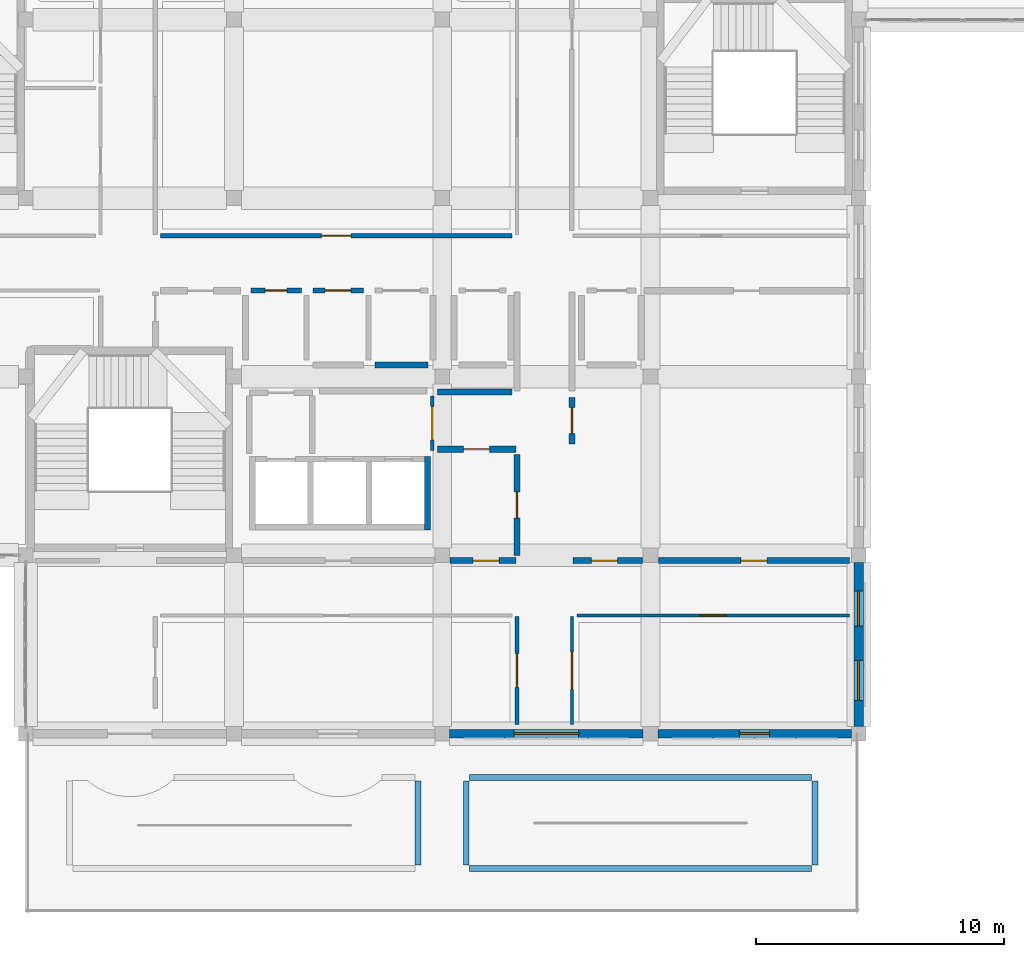
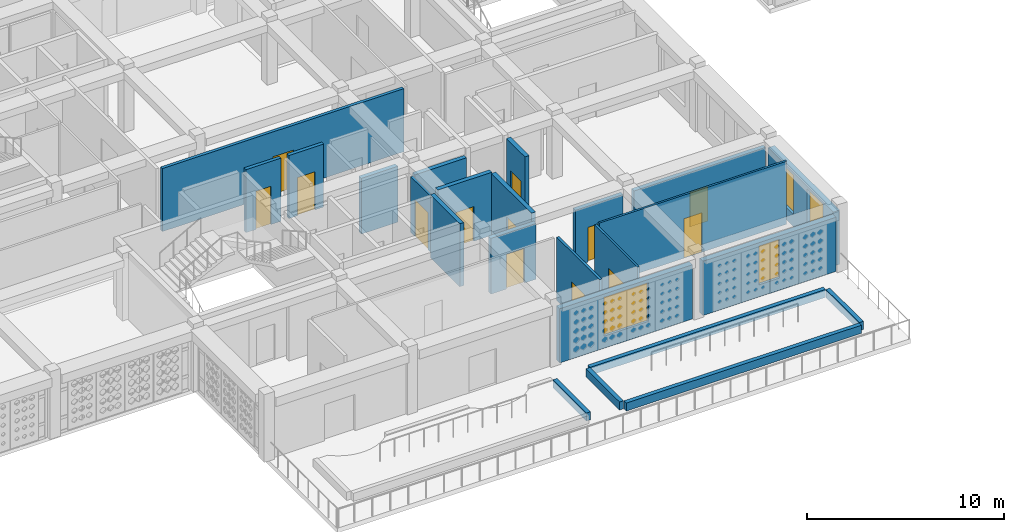
# One storey, part 29 of 48: 24 walls, 13 doors, 4 windows, 17 openings.
"""IFC4 building model written with IfcOpenShell, lengths in metres."""

from ifc_helpers import new_model, si_unit, derived_unit, direction, frame, frame_2d, origin, place, context, subcontext, project, spatial, rectangle, extrude, material, layer, layer_set, type_object, element, fill, save


model = new_model("IFC4")

# Units and contexts
model_context = context("Model", 3, precision=1e-05, world=origin(), true_north=direction((0.0, 1.0)))
body_context = subcontext(model_context, "Body", "Model", "MODEL_VIEW")
ifc_project = project(units=[si_unit("LENGTHUNIT", "METRE"), si_unit("AREAUNIT", "SQUARE_METRE"), si_unit("VOLUMEUNIT", "CUBIC_METRE"), si_unit("PLANEANGLEUNIT", "RADIAN"), si_unit("MASSUNIT", "GRAM", prefix="KILO"), derived_unit("THERMALTRANSMITTANCEUNIT", [(si_unit("POWERUNIT", "WATT"), 1), (si_unit("LENGTHUNIT", "METRE"), -2), (si_unit("THERMODYNAMICTEMPERATUREUNIT", "KELVIN"), -1)])], contexts=[model_context])

# Site, building, storey
site_placement = place(None, origin())
site = spatial("IfcSite", under=ifc_project, at=site_placement, CompositionType="ELEMENT")
building_placement = place(site_placement, origin())
building = spatial("IfcBuilding", under=site, at=building_placement, Name="Veybourne Emporium", CompositionType="ELEMENT")
storey_placement = place(building_placement, frame((0.0, 0.0, 27.89990234375)))
storey = spatial("IfcBuildingStorey", under=building, at=storey_placement, Name="L06", CompositionType="ELEMENT", Elevation=27.89990234375)

# Wall, openings, windows
ifc_material_1 = material(Name="Portland Limestone Ashlar", Category="masonry")
ifc_layer_1 = layer(ifc_material_1, 0.3798828125)
ifc_layer_set_1 = layer_set([ifc_layer_1], Name="Portland Limestone Ashlar")
wall_type_1 = type_object("IfcWallType", Name="ExtWall_EW-03", PredefinedType="SOLIDWALL", material=ifc_layer_set_1)
wall_1_placement = place(storey_placement, frame((50.39990234375, 14.10009765625, 0.0), z_axis=(0.0, 0.0, 1.0), x_axis=(0.0, -1.0, 0.0)))
wall_1 = element("IfcWall", 1, at=wall_1_placement, inside=storey, type_object=wall_type_1, Name="L06 Portland stone external wall 018", PredefinedType="SOLIDWALL", context=body_context, shape_type="SweptSolid", body=[
    extrude(rectangle(XDim=6.60009765625, YDim=0.3798828125, at=frame_2d((3.300048828125, 0.0))), origin(), (0.0, 0.0, 1.0), 3.360107421875),
])
opening_1_placement = place(wall_1_placement, frame((1.14794921875, 0.0, 0.75)))
opening_1 = element("IfcOpeningElement", 2, at=opening_1_placement, cuts=wall_1, Name="Opening W-50", PredefinedType="OPENING", context=body_context, shape_type="SweptSolid", body=[
    extrude(rectangle(XDim=1.39990234375, YDim=2.4599609375, at=frame_2d((0.699951171875, 1.22998046875))), frame((0.0, 0.2099609375, 0.0), z_axis=(0.0, -1.0, 0.0), x_axis=(1.0, 0.0, 0.0)), (0.0, 0.0, 1.0), 0.419921875),
])
opening_2_placement = place(wall_1_placement, frame((3.951904296875, 0.0, 0.75)))
opening_2 = element("IfcOpeningElement", 3, at=opening_2_placement, cuts=wall_1, Name="Opening W-51", PredefinedType="OPENING", context=body_context, shape_type="SweptSolid", body=[
    extrude(rectangle(XDim=1.60009765625, YDim=2.4599609375, at=frame_2d((0.800048828125, 1.22998046875))), frame((0.0, 0.2099609375, 0.0), z_axis=(0.0, -1.0, 0.0), x_axis=(1.0, 0.0, 0.0)), (0.0, 0.0, 1.0), 0.419921875),
])
ifc_material_2 = material(Name="Low-E Triple Glazing", Category="glass")
window_type_1 = type_object("IfcWindowType", Name="Win_W-50", PartitioningType="DOUBLE_PANEL_VERTICAL", PredefinedType="WINDOW", material=ifc_material_2)
window_1_placement = place(opening_1_placement, origin())
window_1 = element("IfcWindow", 4, at=window_1_placement, inside=storey, type_object=window_type_1, Name="L06 tripartite bronze casement window W-50 (18.1)", OverallHeight=2.4599609375, OverallWidth=1.39990234375, PartitioningType="DOUBLE_PANEL_VERTICAL", PredefinedType="WINDOW", context=body_context, shape_type="SweptSolid", body=[
    extrude(rectangle(XDim=1.39990234375, YDim=2.4599609375, at=frame_2d((0.699951171875, 1.22998046875))), frame((0.0, 0.030029296875, 0.0), z_axis=(0.0, -1.0, 0.0), x_axis=(1.0, 0.0, 0.0)), (0.0, 0.0, 1.0), 0.06005859375),
])
fill(opening_1, window_1)
window_type_2 = type_object("IfcWindowType", Name="Win_W-51", PartitioningType="DOUBLE_PANEL_VERTICAL", PredefinedType="WINDOW", material=ifc_material_2)
window_2_placement = place(opening_2_placement, origin())
window_2 = element("IfcWindow", 5, at=window_2_placement, inside=storey, type_object=window_type_2, Name="L06 tripartite bronze casement window W-51 (18.2)", OverallHeight=2.4599609375, OverallWidth=1.60009765625, PartitioningType="DOUBLE_PANEL_VERTICAL", PredefinedType="WINDOW", context=body_context, shape_type="SweptSolid", body=[
    extrude(rectangle(XDim=1.60009765625, YDim=2.4599609375, at=frame_2d((0.800048828125, 1.22998046875))), frame((0.0, 0.030029296875, 0.0), z_axis=(0.0, -1.0, 0.0), x_axis=(1.0, 0.0, 0.0)), (0.0, 0.0, 1.0), 0.06005859375),
])
fill(opening_2, window_2)

# Wall, opening, window
ifc_layer_2 = layer(ifc_material_1, 0.330078125)
ifc_layer_set_2 = layer_set([ifc_layer_2], Name="Portland Limestone Ashlar")
wall_type_2 = type_object("IfcWallType", Name="ExtWall_EW-04", PredefinedType="SOLIDWALL", material=ifc_layer_set_2)
wall_2_placement = place(storey_placement, frame((41.699951171875, 7.199951171875, 0.0), z_axis=(0.0, 0.0, 1.0), x_axis=(-1.0, 0.0, 0.0)))
wall_2 = element("IfcWall", 6, at=wall_2_placement, inside=storey, type_object=wall_type_2, Name="L06 terrace facade wall 015", PredefinedType="SOLIDWALL", context=body_context, shape_type="SweptSolid", body=[
    extrude(rectangle(XDim=7.800048828125, YDim=0.330078125, at=frame_2d((3.89990234375, 0.0))), origin(), (0.0, 0.0, 1.0), 3.360107421875),
])
opening_3_placement = place(wall_2_placement, frame((2.60009765625, 0.0, 0.75)))
opening_3 = element("IfcOpeningElement", 7, at=opening_3_placement, cuts=wall_2, Name="Opening W-48", PredefinedType="OPENING", context=body_context, shape_type="SweptSolid", body=[
    extrude(rectangle(XDim=2.60009765625, YDim=2.409912109375, at=frame_2d((1.300048828125, 1.205078125))), frame((0.0, 0.18505859375, 0.0), z_axis=(0.0, -1.0, 0.0), x_axis=(1.0, 0.0, 0.0)), (0.0, 0.0, 1.0), 0.3701171875),
])
window_type_3 = type_object("IfcWindowType", Name="Win_W-48", PartitioningType="TRIPLE_PANEL_VERTICAL", PredefinedType="WINDOW", material=ifc_material_2)
window_3_placement = place(opening_3_placement, origin())
window_3 = element("IfcWindow", 8, at=window_3_placement, inside=storey, type_object=window_type_3, Name="L06 terrace window 015", OverallHeight=2.409912109375, OverallWidth=2.60009765625, PartitioningType="TRIPLE_PANEL_VERTICAL", PredefinedType="WINDOW", context=body_context, shape_type="SweptSolid", body=[
    extrude(rectangle(XDim=2.60009765625, YDim=2.409912109375, at=frame_2d((1.300048828125, 1.205078125))), frame((0.0, 0.030029296875, 0.0), z_axis=(0.0, -1.0, 0.0), x_axis=(1.0, 0.0, 0.0)), (0.0, 0.0, 1.0), 0.06005859375),
])
fill(opening_3, window_3)

wall_3_placement = place(storey_placement, frame((50.10009765625, 7.199951171875, 0.0), z_axis=(0.0, 0.0, 1.0), x_axis=(-1.0, 0.0, 0.0)))
wall_3 = element("IfcWall", 9, at=wall_3_placement, inside=storey, type_object=wall_type_2, Name="L06 terrace facade wall 017", PredefinedType="SOLIDWALL", context=body_context, shape_type="SweptSolid", body=[
    extrude(rectangle(XDim=7.800048828125, YDim=0.330078125, at=frame_2d((3.89990234375, 0.0))), origin(), (0.0, 0.0, 1.0), 3.360107421875),
])
opening_4_placement = place(wall_3_placement, frame((3.300048828125, 0.0, 0.75)))
opening_4 = element("IfcOpeningElement", 10, at=opening_4_placement, cuts=wall_3, Name="Opening W-49", PredefinedType="OPENING", context=body_context, shape_type="SweptSolid", body=[
    extrude(rectangle(XDim=1.199951171875, YDim=2.409912109375, at=frame_2d((0.60009765625, 1.205078125))), frame((0.0, 0.18505859375, 0.0), z_axis=(0.0, -1.0, 0.0), x_axis=(1.0, 0.0, 0.0)), (0.0, 0.0, 1.0), 0.3701171875),
])
window_type_4 = type_object("IfcWindowType", Name="Win_W-49", PartitioningType="SINGLE_PANEL", PredefinedType="WINDOW", material=ifc_material_2)
window_4_placement = place(opening_4_placement, origin())
window_4 = element("IfcWindow", 11, at=window_4_placement, inside=storey, type_object=window_type_4, Name="L06 terrace window 017", OverallHeight=2.409912109375, OverallWidth=1.199951171875, PartitioningType="SINGLE_PANEL", PredefinedType="WINDOW", context=body_context, shape_type="SweptSolid", body=[
    extrude(rectangle(XDim=1.199951171875, YDim=2.409912109375, at=frame_2d((0.60009765625, 1.205078125))), frame((0.0, 0.030029296875, 0.0), z_axis=(0.0, -1.0, 0.0), x_axis=(1.0, 0.0, 0.0)), (0.0, 0.0, 1.0), 0.06005859375),
])
fill(opening_4, window_4)

# Walls
ifc_material_3 = material(Name="Precast concrete C40/50", Category="concrete")
ifc_layer_3 = layer(ifc_material_3, 0.239990234375)
ifc_layer_set_3 = layer_set([ifc_layer_3], Name="Precast concrete C40/50")
wall_type_3 = type_object("IfcWallType", Name="ExtWall_PW-02", PredefinedType="PARAPET", material=ifc_layer_set_3)
for number, where, z_axis, x_axis, name in (
    (12, (32.6298828125, 5.300048828125, 0.0), (0.0, 0.0, 1.0), (0.0, -1.0, 0.0), "L06 planted roof-garden kerb 011"),
    (13, (48.6298828125, 5.300048828125, 0.0), (0.0, 0.0, 1.0), (0.0, -1.0, 0.0), "L06 planted roof-garden kerb 014"),
):
    element("IfcWall", number, at=place(storey_placement, frame(where, z_axis=z_axis, x_axis=x_axis)), inside=storey, type_object=wall_type_3, Name=name, PredefinedType="PARAPET", context=body_context, shape_type="SweptSolid", body=[
        extrude(rectangle(XDim=3.400146484375, YDim=0.239990234375, at=frame_2d((1.7001953125, 0.0))), origin(), (0.0, 0.0, 1.0), 0.5),
    ])
wall_4_placement = place(storey_placement, frame((48.5, 1.77001953125, 0.0), z_axis=(0.0, 0.0, 1.0), x_axis=(-1.0, 0.0, 0.0)))
element("IfcWall", 14, at=wall_4_placement, inside=storey, type_object=wall_type_3, Name="L06 planted roof-garden kerb 015", PredefinedType="PARAPET", context=body_context, shape_type="SweptSolid", body=[
    extrude(rectangle(XDim=13.800048828125, YDim=0.239990234375, at=frame_2d((6.89990234375, 0.0))), origin(), (0.0, 0.0, 1.0), 0.5),
])
wall_5_placement = place(storey_placement, frame((34.570068359375, 1.89990234375, 0.0), z_axis=(0.0, 0.0, 1.0), x_axis=(0.0, 1.0, 0.0)))
element("IfcWall", 15, at=wall_5_placement, inside=storey, type_object=wall_type_3, Name="L06 planted roof-garden kerb 016", PredefinedType="PARAPET", context=body_context, shape_type="SweptSolid", body=[
    extrude(rectangle(XDim=3.400146484375, YDim=0.239990234375, at=frame_2d((1.7001953125, 0.0))), origin(), (0.0, 0.0, 1.0), 0.5),
])
wall_6_placement = place(storey_placement, frame((34.699951171875, 5.429931640625, 0.0), z_axis=(0.0, 0.0, 1.0), x_axis=(1.0, 0.0, 0.0)))
element("IfcWall", 16, at=wall_6_placement, inside=storey, type_object=wall_type_3, Name="L06 planted roof-garden kerb 017", PredefinedType="PARAPET", context=body_context, shape_type="SweptSolid", body=[
    extrude(rectangle(XDim=13.800048828125, YDim=0.239990234375, at=frame_2d((6.89990234375, 0.0))), origin(), (0.0, 0.0, 1.0), 0.5),
])
ifc_material_4 = material(Name="Concrete C40/50", Category="concrete")
ifc_layer_4 = layer(ifc_material_4, 0.239990234375)
ifc_layer_set_4 = layer_set([ifc_layer_4], Name="Concrete C40/50")
wall_type_4 = type_object("IfcWallType", Name="IntWall_CW-04", PredefinedType="SHEAR", material=ifc_layer_set_4)
wall_7_placement = place(storey_placement, frame((33.0, 15.409912109375, 0.0), z_axis=(0.0, 0.0, 1.0), x_axis=(0.0, 1.0, 0.0)))
element("IfcWall", 17, at=wall_7_placement, inside=storey, type_object=wall_type_4, Name="Lift core C1 east shaft wall (L06)", PredefinedType="SHEAR", context=body_context, shape_type="SweptSolid", body=[
    extrude(rectangle(XDim=2.97998046875, YDim=0.239990234375, at=frame_2d((1.489990234375, 0.0))), origin(), (0.0, 0.0, 1.0), 3.91015625),
])

# Wall, opening, door
ifc_material_5 = material(Name="Concrete C32/40", Category="concrete")
ifc_layer_5 = layer(ifc_material_5, 0.25)
ifc_layer_set_5 = layer_set([ifc_layer_5], Name="Concrete C32/40")
wall_type_5 = type_object("IfcWallType", Name="IntWall_FW-01", PredefinedType="SOLIDWALL", material=ifc_layer_set_5)
wall_8_placement = place(storey_placement, frame((33.919921875, 14.179931640625, 0.0), z_axis=(0.0, 0.0, 1.0), x_axis=(1.0, 0.0, 0.0)))
wall_8 = element("IfcWall", 18, at=wall_8_placement, inside=storey, type_object=wall_type_5, Name="L06 interior partition FW-01 #008", PredefinedType="SOLIDWALL", context=body_context, shape_type="SweptSolid", body=[
    extrude(rectangle(XDim=2.650146484375, YDim=0.25, at=frame_2d((1.3251953125, 0.0))), origin(), (0.0, 0.0, 1.0), 3.460205078125),
])
opening_5_placement = place(wall_8_placement, frame((0.927978515625, 0.0, 0.0)))
opening_5 = element("IfcOpeningElement", 19, at=opening_5_placement, cuts=wall_8, Name="Opening FD-02", PredefinedType="OPENING", context=body_context, shape_type="SweptSolid", body=[
    extrude(rectangle(XDim=1.050048828125, YDim=2.14990234375, at=frame_2d((0.52490234375, 1.074951171875))), frame((0.0, 0.14501953125, 0.0), z_axis=(0.0, -1.0, 0.0), x_axis=(1.0, 0.0, 0.0)), (0.0, 0.0, 1.0), 0.2900390625),
])
ifc_material_6 = material(Name="Patinated Architectural Bronze", Category="bronze")
door_type_1 = type_object("IfcDoorType", Name="FireDoor_FD-02", OperationType="NOTDEFINED", PredefinedType="DOOR", material=ifc_material_6)
door_1_placement = place(opening_5_placement, origin())
door_1 = element("IfcDoor", 20, at=door_1_placement, inside=storey, type_object=door_type_1, Name="L06 interior door FD-02 (PART-L06-008)", OperationType="SINGLE_SWING_LEFT", OverallHeight=2.14990234375, OverallWidth=1.050048828125, PredefinedType="DOOR", context=body_context, shape_type="SweptSolid", body=[
    extrude(rectangle(XDim=1.050048828125, YDim=2.14990234375, at=frame_2d((0.52490234375, 1.074951171875))), frame((0.0, 0.02490234375, 0.0), z_axis=(0.0, -1.0, 0.0), x_axis=(1.0, 0.0, 0.0)), (0.0, 0.0, 1.0), 0.050048828125),
])
fill(opening_5, door_1)

wall_9_placement = place(storey_placement, frame((38.8798828125, 14.179931640625, 0.0), z_axis=(0.0, 0.0, 1.0), x_axis=(1.0, 0.0, 0.0)))
wall_9 = element("IfcWall", 21, at=wall_9_placement, inside=storey, type_object=wall_type_5, Name="L06 interior partition FW-01 #013", PredefinedType="SOLIDWALL", context=body_context, shape_type="SweptSolid", body=[
    extrude(rectangle(XDim=2.800048828125, YDim=0.25, at=frame_2d((1.39990234375, 0.0))), origin(), (0.0, 0.0, 1.0), 3.460205078125),
])
opening_6_placement = place(wall_9_placement, frame((0.735107421875, 0.0, 0.0)))
opening_6 = element("IfcOpeningElement", 22, at=opening_6_placement, cuts=wall_9, Name="Opening FD-02", PredefinedType="OPENING", context=body_context, shape_type="SweptSolid", body=[
    extrude(rectangle(XDim=1.050048828125, YDim=2.14990234375, at=frame_2d((0.52490234375, 1.074951171875))), frame((0.0, 0.14501953125, 0.0), z_axis=(0.0, -1.0, 0.0), x_axis=(1.0, 0.0, 0.0)), (0.0, 0.0, 1.0), 0.2900390625),
])
door_2_placement = place(opening_6_placement, origin())
door_2 = element("IfcDoor", 23, at=door_2_placement, inside=storey, type_object=door_type_1, Name="L06 interior door FD-02 (PART-L06-013)", OperationType="SINGLE_SWING_RIGHT", OverallHeight=2.14990234375, OverallWidth=1.050048828125, PredefinedType="DOOR", context=body_context, shape_type="SweptSolid", body=[
    extrude(rectangle(XDim=1.050048828125, YDim=2.14990234375, at=frame_2d((0.52490234375, 1.074951171875))), frame((0.0, 0.02490234375, 0.0), z_axis=(0.0, -1.0, 0.0), x_axis=(1.0, 0.0, 0.0)), (0.0, 0.0, 1.0), 0.050048828125),
])
fill(opening_6, door_2)

wall_10_placement = place(storey_placement, frame((42.320068359375, 14.179931640625, 0.0), z_axis=(0.0, 0.0, 1.0), x_axis=(1.0, 0.0, 0.0)))
wall_10 = element("IfcWall", 24, at=wall_10_placement, inside=storey, type_object=wall_type_5, Name="L06 interior partition FW-01 #014", PredefinedType="SOLIDWALL", context=body_context, shape_type="SweptSolid", body=[
    extrude(rectangle(XDim=7.7099609375, YDim=0.25, at=frame_2d((3.85498046875, 0.0))), origin(), (0.0, 0.0, 1.0), 3.460205078125),
])
opening_7_placement = place(wall_10_placement, frame((3.330078125, 0.0, 0.0)))
opening_7 = element("IfcOpeningElement", 25, at=opening_7_placement, cuts=wall_10, Name="Opening FD-02", PredefinedType="OPENING", context=body_context, shape_type="SweptSolid", body=[
    extrude(rectangle(XDim=1.050048828125, YDim=2.14990234375, at=frame_2d((0.52490234375, 1.074951171875))), frame((0.0, 0.14501953125, 0.0), z_axis=(0.0, -1.0, 0.0), x_axis=(1.0, 0.0, 0.0)), (0.0, 0.0, 1.0), 0.2900390625),
])
door_3_placement = place(opening_7_placement, origin())
door_3 = element("IfcDoor", 26, at=door_3_placement, inside=storey, type_object=door_type_1, Name="L06 interior door FD-02 (PART-L06-014)", OperationType="SINGLE_SWING_LEFT", OverallHeight=2.14990234375, OverallWidth=1.050048828125, PredefinedType="DOOR", context=body_context, shape_type="SweptSolid", body=[
    extrude(rectangle(XDim=1.050048828125, YDim=2.14990234375, at=frame_2d((0.52490234375, 1.074951171875))), frame((0.0, 0.02490234375, 0.0), z_axis=(0.0, -1.0, 0.0), x_axis=(1.0, 0.0, 0.0)), (0.0, 0.0, 1.0), 0.050048828125),
])
fill(opening_7, door_3)

wall_11_placement = place(storey_placement, frame((36.6201171875, 14.389892578125, 0.0), z_axis=(0.0, 0.0, 1.0), x_axis=(0.0, 1.0, 0.0)))
wall_11 = element("IfcWall", 27, at=wall_11_placement, inside=storey, type_object=wall_type_5, Name="L06 interior partition FW-01 #030", PredefinedType="SOLIDWALL", context=body_context, shape_type="SweptSolid", body=[
    extrude(rectangle(XDim=4.070068359375, YDim=0.25, at=frame_2d((2.03515625, 0.0))), origin(), (0.0, 0.0, 1.0), 3.91015625),
])
opening_8_placement = place(wall_11_placement, frame((1.510009765625, 0.0, 0.0)))
opening_8 = element("IfcOpeningElement", 28, at=opening_8_placement, cuts=wall_11, Name="Opening FD-02", PredefinedType="OPENING", context=body_context, shape_type="SweptSolid", body=[
    extrude(rectangle(XDim=1.050048828125, YDim=2.14990234375, at=frame_2d((0.52490234375, 1.074951171875))), frame((0.0, 0.14501953125, 0.0), z_axis=(0.0, -1.0, 0.0), x_axis=(1.0, 0.0, 0.0)), (0.0, 0.0, 1.0), 0.2900390625),
])
door_4_placement = place(opening_8_placement, origin())
door_4 = element("IfcDoor", 29, at=door_4_placement, inside=storey, type_object=door_type_1, Name="L06 interior door FD-02 (PART-L06-030)", OperationType="SINGLE_SWING_LEFT", OverallHeight=2.14990234375, OverallWidth=1.050048828125, PredefinedType="DOOR", context=body_context, shape_type="SweptSolid", body=[
    extrude(rectangle(XDim=1.050048828125, YDim=2.14990234375, at=frame_2d((0.52490234375, 1.074951171875))), frame((0.0, 0.02490234375, 0.0), z_axis=(0.0, -1.0, 0.0), x_axis=(1.0, 0.0, 0.0)), (0.0, 0.0, 1.0), 0.050048828125),
])
fill(opening_8, door_4)

wall_12_placement = place(storey_placement, frame((33.409912109375, 18.669921875, 0.0), z_axis=(0.0, 0.0, 1.0), x_axis=(1.0, 0.0, 0.0)))
wall_12 = element("IfcWall", 30, at=wall_12_placement, inside=storey, type_object=wall_type_5, Name="L06 interior partition FW-01 #036", PredefinedType="SOLIDWALL", context=body_context, shape_type="SweptSolid", body=[
    extrude(rectangle(XDim=3.16015625, YDim=0.25, at=frame_2d((1.580078125, 0.0))), origin(), (0.0, 0.0, 1.0), 3.91015625),
])
opening_9_placement = place(wall_12_placement, frame((1.054931640625, 0.0, 0.0)))
opening_9 = element("IfcOpeningElement", 31, at=opening_9_placement, cuts=wall_12, Name="Opening FD-02", PredefinedType="OPENING", context=body_context, shape_type="SweptSolid", body=[
    extrude(rectangle(XDim=1.050048828125, YDim=2.14990234375, at=frame_2d((0.52490234375, 1.074951171875))), frame((0.0, 0.14501953125, 0.0), z_axis=(0.0, -1.0, 0.0), x_axis=(1.0, 0.0, 0.0)), (0.0, 0.0, 1.0), 0.2900390625),
])
door_5_placement = place(opening_9_placement, origin())
door_5 = element("IfcDoor", 32, at=door_5_placement, inside=storey, type_object=door_type_1, Name="L06 interior door FD-02 (PART-L06-036)", OperationType="SINGLE_SWING_LEFT", OverallHeight=2.14990234375, OverallWidth=1.050048828125, PredefinedType="DOOR", context=body_context, shape_type="SweptSolid", body=[
    extrude(rectangle(XDim=1.050048828125, YDim=2.14990234375, at=frame_2d((0.52490234375, 1.074951171875))), frame((0.0, 0.02490234375, 0.0), z_axis=(0.0, -1.0, 0.0), x_axis=(1.0, 0.0, 0.0)), (0.0, 0.0, 1.0), 0.050048828125),
])
fill(opening_9, door_5)

# Wall
wall_13_placement = place(storey_placement, frame((33.409912109375, 20.97998046875, 0.0), z_axis=(0.0, 0.0, 1.0), x_axis=(1.0, 0.0, 0.0)))
element("IfcWall", 33, at=wall_13_placement, inside=storey, type_object=wall_type_5, Name="L06 interior partition FW-01 #037", PredefinedType="SOLIDWALL", context=body_context, shape_type="SweptSolid", body=[
    extrude(rectangle(XDim=3.0, YDim=0.25, at=frame_2d((1.5, 0.0))), origin(), (0.0, 0.0, 1.0), 3.460205078125),
])

# Wall, opening, door
wall_14_placement = place(storey_placement, frame((38.830078125, 18.8798828125, 0.0), z_axis=(0.0, 0.0, 1.0), x_axis=(0.0, 1.0, 0.0)))
wall_14 = element("IfcWall", 34, at=wall_14_placement, inside=storey, type_object=wall_type_5, Name="L06 interior partition FW-01 #049", PredefinedType="SOLIDWALL", context=body_context, shape_type="SweptSolid", body=[
    extrude(rectangle(XDim=1.89013671875, YDim=0.25, at=frame_2d((0.945068359375, 0.0))), origin(), (0.0, 0.0, 1.0), 3.91015625),
])
opening_10_placement = place(wall_14_placement, frame((0.419921875, 0.0, 0.0)))
opening_10 = element("IfcOpeningElement", 35, at=opening_10_placement, cuts=wall_14, Name="Opening FD-02", PredefinedType="OPENING", context=body_context, shape_type="SweptSolid", body=[
    extrude(rectangle(XDim=1.050048828125, YDim=2.14990234375, at=frame_2d((0.52490234375, 1.074951171875))), frame((0.0, 0.14501953125, 0.0), z_axis=(0.0, -1.0, 0.0), x_axis=(1.0, 0.0, 0.0)), (0.0, 0.0, 1.0), 0.2900390625),
])
door_6_placement = place(opening_10_placement, origin())
door_6 = element("IfcDoor", 36, at=door_6_placement, inside=storey, type_object=door_type_1, Name="L06 interior door FD-02 (PART-L06-049)", OperationType="SINGLE_SWING_RIGHT", OverallHeight=2.14990234375, OverallWidth=1.050048828125, PredefinedType="DOOR", context=body_context, shape_type="SweptSolid", body=[
    extrude(rectangle(XDim=1.050048828125, YDim=2.14990234375, at=frame_2d((0.52490234375, 1.074951171875))), frame((0.0, 0.02490234375, 0.0), z_axis=(0.0, -1.0, 0.0), x_axis=(1.0, 0.0, 0.0)), (0.0, 0.0, 1.0), 0.050048828125),
])
fill(opening_10, door_6)

# Wall
wall_15_placement = place(storey_placement, frame((30.8798828125, 22.070068359375, 0.0), z_axis=(0.0, 0.0, 1.0), x_axis=(1.0, 0.0, 0.0)))
element("IfcWall", 37, at=wall_15_placement, inside=storey, type_object=wall_type_5, Name="L06 interior partition FW-01 #064", PredefinedType="SOLIDWALL", context=body_context, shape_type="SweptSolid", body=[
    extrude(rectangle(XDim=2.14013671875, YDim=0.25, at=frame_2d((1.070068359375, 0.0))), origin(), (0.0, 0.0, 1.0), 3.460205078125),
])

# Wall, opening, door
ifc_material_7 = material(Name="Gypsum Acoustic Board", Category="gypsum")
ifc_layer_6 = layer(ifc_material_7, 0.179931640625)
ifc_layer_set_6 = layer_set([ifc_layer_6], Name="Gypsum Acoustic Board")
wall_type_6 = type_object("IfcWallType", Name="IntWall_IW-01", PredefinedType="PARTITIONING", material=ifc_layer_set_6)
wall_16_placement = place(storey_placement, frame((22.239990234375, 27.280029296875, 0.0), z_axis=(0.0, 0.0, 1.0), x_axis=(1.0, 0.0, 0.0)))
wall_16 = element("IfcWall", 38, at=wall_16_placement, inside=storey, type_object=wall_type_6, Name="L06 interior partition IW-01 #011", PredefinedType="PARTITIONING", context=body_context, shape_type="SweptSolid", body=[
    extrude(rectangle(XDim=14.169921875, YDim=0.179931640625, at=frame_2d((7.0849609375, 0.0))), origin(), (0.0, 0.0, 1.0), 3.91015625),
])
opening_11_placement = place(wall_16_placement, frame((6.485107421875, 0.0, 0.0)))
opening_11 = element("IfcOpeningElement", 39, at=opening_11_placement, cuts=wall_16, Name="Opening D-27", PredefinedType="OPENING", context=body_context, shape_type="SweptSolid", body=[
    extrude(rectangle(XDim=1.199951171875, YDim=2.3701171875, at=frame_2d((0.60009765625, 1.18505859375))), frame((0.0, 0.10986328125, 0.0), z_axis=(0.0, -1.0, 0.0), x_axis=(1.0, 0.0, 0.0)), (0.0, 0.0, 1.0), 0.219970703125),
])
ifc_material_8 = material(Name="European Oak Veneer and Bronze", Category="wood")
door_type_2 = type_object("IfcDoorType", Name="IntDoor_D-27", OperationType="NOTDEFINED", PredefinedType="DOOR", material=ifc_material_8)
door_7_placement = place(opening_11_placement, origin())
door_7 = element("IfcDoor", 40, at=door_7_placement, inside=storey, type_object=door_type_2, Name="L06 interior door D-27 (PART-L06-011)", OperationType="SINGLE_SWING_RIGHT", OverallHeight=2.3701171875, OverallWidth=1.199951171875, PredefinedType="DOOR", context=body_context, shape_type="SweptSolid", body=[
    extrude(rectangle(XDim=1.199951171875, YDim=2.3701171875, at=frame_2d((0.60009765625, 1.18505859375))), frame((0.0, 0.02490234375, 0.0), z_axis=(0.0, -1.0, 0.0), x_axis=(1.0, 0.0, 0.0)), (0.0, 0.0, 1.0), 0.050048828125),
])
fill(opening_11, door_7)

ifc_layer_7 = layer(ifc_material_7, 0.14990234375)
ifc_layer_set_7 = layer_set([ifc_layer_7], Name="Gypsum Acoustic Board")
wall_type_7 = type_object("IfcWallType", Name="IntWall_IW-02", PredefinedType="PARTITIONING", material=ifc_layer_set_7)
wall_17_placement = place(storey_placement, frame((36.6201171875, 7.570068359375, 0.0), z_axis=(0.0, 0.0, 1.0), x_axis=(0.0, 1.0, 0.0)))
wall_17 = element("IfcWall", 41, at=wall_17_placement, inside=storey, type_object=wall_type_7, Name="L06 interior partition IW-02 #024", PredefinedType="PARTITIONING", context=body_context, shape_type="SweptSolid", body=[
    extrude(rectangle(XDim=4.349853515625, YDim=0.14990234375, at=frame_2d((2.1748046875, 0.0))), origin(), (0.0, 0.0, 1.0), 3.91015625),
])
opening_12_placement = place(wall_17_placement, frame((1.4951171875, 0.0, 0.0)))
opening_12 = element("IfcOpeningElement", 42, at=opening_12_placement, cuts=wall_17, Name="Opening D-04", PredefinedType="OPENING", context=body_context, shape_type="SweptSolid", body=[
    extrude(rectangle(XDim=1.360107421875, YDim=2.050048828125, at=frame_2d((0.68017578125, 1.02490234375))), frame((0.0, 0.094970703125, 0.0), z_axis=(0.0, -1.0, 0.0), x_axis=(1.0, 0.0, 0.0)), (0.0, 0.0, 1.0), 0.18994140625),
])
door_type_3 = type_object("IfcDoorType", Name="IntDoor_D-04", OperationType="NOTDEFINED", PredefinedType="DOOR", material=ifc_material_8)
door_8_placement = place(opening_12_placement, origin())
door_8 = element("IfcDoor", 43, at=door_8_placement, inside=storey, type_object=door_type_3, Name="L06 interior door D-04 (PART-L06-024)", OperationType="SINGLE_SWING_RIGHT", OverallHeight=2.050048828125, OverallWidth=1.360107421875, PredefinedType="DOOR", context=body_context, shape_type="SweptSolid", body=[
    extrude(rectangle(XDim=1.360107421875, YDim=2.050048828125, at=frame_2d((0.68017578125, 1.02490234375))), frame((0.0, 0.02490234375, 0.0), z_axis=(0.0, -1.0, 0.0), x_axis=(1.0, 0.0, 0.0)), (0.0, 0.0, 1.0), 0.050048828125),
])
fill(opening_12, door_8)

wall_18_placement = place(storey_placement, frame((33.199951171875, 18.6201171875, 0.0), z_axis=(0.0, 0.0, 1.0), x_axis=(0.0, 1.0, 0.0)))
wall_18 = element("IfcWall", 44, at=wall_18_placement, inside=storey, type_object=wall_type_7, Name="L06 interior partition IW-02 #042", PredefinedType="PARTITIONING", context=body_context, shape_type="SweptSolid", body=[
    extrude(rectangle(XDim=2.199951171875, YDim=0.14990234375, at=frame_2d((1.10009765625, 0.0))), origin(), (0.0, 0.0, 1.0), 3.460205078125),
])
opening_13_placement = place(wall_18_placement, frame((0.419921875, 0.0, 0.0)))
opening_13 = element("IfcOpeningElement", 45, at=opening_13_placement, cuts=wall_18, Name="Opening D-22", PredefinedType="OPENING", context=body_context, shape_type="SweptSolid", body=[
    extrude(rectangle(XDim=1.360107421875, YDim=2.2900390625, at=frame_2d((0.68017578125, 1.14501953125))), frame((0.0, 0.094970703125, 0.0), z_axis=(0.0, -1.0, 0.0), x_axis=(1.0, 0.0, 0.0)), (0.0, 0.0, 1.0), 0.18994140625),
])
door_type_4 = type_object("IfcDoorType", Name="IntDoor_D-22", OperationType="NOTDEFINED", PredefinedType="DOOR", material=ifc_material_8)
door_9_placement = place(opening_13_placement, origin())
door_9 = element("IfcDoor", 46, at=door_9_placement, inside=storey, type_object=door_type_4, Name="L06 interior door D-22 (PART-L06-042)", OperationType="SINGLE_SWING_RIGHT", OverallHeight=2.2900390625, OverallWidth=1.360107421875, PredefinedType="DOOR", context=body_context, shape_type="SweptSolid", body=[
    extrude(rectangle(XDim=1.360107421875, YDim=2.2900390625, at=frame_2d((0.68017578125, 1.14501953125))), frame((0.0, 0.02490234375, 0.0), z_axis=(0.0, -1.0, 0.0), x_axis=(1.0, 0.0, 0.0)), (0.0, 0.0, 1.0), 0.050048828125),
])
fill(opening_13, door_9)

ifc_layer_8 = layer(ifc_material_7, 0.1201171875)
ifc_layer_set_8 = layer_set([ifc_layer_8], Name="Gypsum Acoustic Board")
wall_type_8 = type_object("IfcWallType", Name="IntWall_IW-03", PredefinedType="PARTITIONING", material=ifc_layer_set_8)
wall_19_placement = place(storey_placement, frame((39.0400390625, 11.969970703125, 0.0), z_axis=(0.0, 0.0, 1.0), x_axis=(1.0, 0.0, 0.0)))
wall_19 = element("IfcWall", 47, at=wall_19_placement, inside=storey, type_object=wall_type_8, Name="L06 interior partition IW-03 #016", PredefinedType="PARTITIONING", context=body_context, shape_type="SweptSolid", body=[
    extrude(rectangle(XDim=10.989990234375, YDim=0.1201171875, at=frame_2d((5.4951171875, 0.0))), origin(), (0.0, 0.0, 1.0), 3.91015625),
])
opening_14_placement = place(wall_19_placement, frame((4.97509765625, 0.0, 0.0)))
opening_14 = element("IfcOpeningElement", 48, at=opening_14_placement, cuts=wall_19, Name="Opening D-32", PredefinedType="OPENING", context=body_context, shape_type="SweptSolid", body=[
    extrude(rectangle(XDim=1.0400390625, YDim=2.449951171875, at=frame_2d((0.52001953125, 1.22509765625))), frame((0.0, 0.080078125, 0.0), z_axis=(0.0, -1.0, 0.0), x_axis=(1.0, 0.0, 0.0)), (0.0, 0.0, 1.0), 0.16015625),
])
door_type_5 = type_object("IfcDoorType", Name="IntDoor_D-32", OperationType="NOTDEFINED", PredefinedType="DOOR", material=ifc_material_8)
door_10_placement = place(opening_14_placement, origin())
door_10 = element("IfcDoor", 49, at=door_10_placement, inside=storey, type_object=door_type_5, Name="L06 interior door D-32 (PART-L06-016)", OperationType="SINGLE_SWING_LEFT", OverallHeight=2.449951171875, OverallWidth=1.0400390625, PredefinedType="DOOR", context=body_context, shape_type="SweptSolid", body=[
    extrude(rectangle(XDim=1.0400390625, YDim=2.449951171875, at=frame_2d((0.52001953125, 1.22509765625))), frame((0.0, 0.02490234375, 0.0), z_axis=(0.0, -1.0, 0.0), x_axis=(1.0, 0.0, 0.0)), (0.0, 0.0, 1.0), 0.050048828125),
])
fill(opening_14, door_10)

wall_20_placement = place(storey_placement, frame((38.830078125, 7.570068359375, 0.0), z_axis=(0.0, 0.0, 1.0), x_axis=(0.0, 1.0, 0.0)))
wall_20 = element("IfcWall", 50, at=wall_20_placement, inside=storey, type_object=wall_type_8, Name="L06 interior partition IW-03 #025", PredefinedType="PARTITIONING", context=body_context, shape_type="SweptSolid", body=[
    extrude(rectangle(XDim=4.349853515625, YDim=0.1201171875, at=frame_2d((2.1748046875, 0.0))), origin(), (0.0, 0.0, 1.0), 3.91015625),
])
opening_15_placement = place(wall_20_placement, frame((1.4150390625, 0.0, 0.0)))
opening_15 = element("IfcOpeningElement", 51, at=opening_15_placement, cuts=wall_20, Name="Opening D-05", PredefinedType="OPENING", context=body_context, shape_type="SweptSolid", body=[
    extrude(rectangle(XDim=1.52001953125, YDim=2.050048828125, at=frame_2d((0.760009765625, 1.02490234375))), frame((0.0, 0.080078125, 0.0), z_axis=(0.0, -1.0, 0.0), x_axis=(1.0, 0.0, 0.0)), (0.0, 0.0, 1.0), 0.16015625),
])
door_type_6 = type_object("IfcDoorType", Name="IntDoor_D-05", OperationType="NOTDEFINED", PredefinedType="DOOR", material=ifc_material_8)
door_11_placement = place(opening_15_placement, origin())
door_11 = element("IfcDoor", 52, at=door_11_placement, inside=storey, type_object=door_type_6, Name="L06 interior door D-05 (PART-L06-025)", OperationType="SINGLE_SWING_LEFT", OverallHeight=2.050048828125, OverallWidth=1.52001953125, PredefinedType="DOOR", context=body_context, shape_type="SweptSolid", body=[
    extrude(rectangle(XDim=1.52001953125, YDim=2.050048828125, at=frame_2d((0.760009765625, 1.02490234375))), frame((0.0, 0.02490234375, 0.0), z_axis=(0.0, -1.0, 0.0), x_axis=(1.0, 0.0, 0.0)), (0.0, 0.0, 1.0), 0.050048828125),
])
fill(opening_15, door_11)

ifc_layer_9 = layer(ifc_material_7, 0.199951171875)
ifc_layer_set_9 = layer_set([ifc_layer_9], Name="Gypsum Acoustic Board")
wall_type_9 = type_object("IfcWallType", Name="IntWall_IW-04", PredefinedType="PLUMBINGWALL", material=ifc_layer_set_9)
wall_21_placement = place(storey_placement, frame((25.8798828125, 25.080078125, 0.0), z_axis=(0.0, 0.0, 1.0), x_axis=(1.0, 0.0, 0.0)))
wall_21 = element("IfcWall", 53, at=wall_21_placement, inside=storey, type_object=wall_type_9, Name="L06 interior partition IW-04 #045", PredefinedType="PLUMBINGWALL", context=body_context, shape_type="SweptSolid", body=[
    extrude(rectangle(XDim=2.0400390625, YDim=0.199951171875, at=frame_2d((1.02001953125, 0.0))), origin(), (0.0, 0.0, 1.0), 3.91015625),
])
opening_16_placement = place(wall_21_placement, frame((0.580078125, 0.0, 0.0)))
opening_16 = element("IfcOpeningElement", 54, at=opening_16_placement, cuts=wall_21, Name="Opening D-25", PredefinedType="OPENING", context=body_context, shape_type="SweptSolid", body=[
    extrude(rectangle(XDim=0.8798828125, YDim=2.3701171875, at=frame_2d((0.43994140625, 1.18505859375))), frame((0.0, 0.1201171875, 0.0), z_axis=(0.0, -1.0, 0.0), x_axis=(1.0, 0.0, 0.0)), (0.0, 0.0, 1.0), 0.239990234375),
])
door_type_7 = type_object("IfcDoorType", Name="IntDoor_D-25", OperationType="NOTDEFINED", PredefinedType="DOOR", material=ifc_material_8)
door_12_placement = place(opening_16_placement, origin())
door_12 = element("IfcDoor", 55, at=door_12_placement, inside=storey, type_object=door_type_7, Name="L06 interior door D-25 (PART-L06-045)", OperationType="SINGLE_SWING_RIGHT", OverallHeight=2.3701171875, OverallWidth=0.8798828125, PredefinedType="DOOR", context=body_context, shape_type="SweptSolid", body=[
    extrude(rectangle(XDim=0.8798828125, YDim=2.3701171875, at=frame_2d((0.43994140625, 1.18505859375))), frame((0.0, 0.02490234375, 0.0), z_axis=(0.0, -1.0, 0.0), x_axis=(1.0, 0.0, 0.0)), (0.0, 0.0, 1.0), 0.050048828125),
])
fill(opening_16, door_12)

wall_22_placement = place(storey_placement, frame((28.3798828125, 25.080078125, 0.0), z_axis=(0.0, 0.0, 1.0), x_axis=(1.0, 0.0, 0.0)))
wall_22 = element("IfcWall", 56, at=wall_22_placement, inside=storey, type_object=wall_type_9, Name="L06 interior partition IW-04 #046", PredefinedType="PLUMBINGWALL", context=body_context, shape_type="SweptSolid", body=[
    extrude(rectangle(XDim=2.0400390625, YDim=0.199951171875, at=frame_2d((1.02001953125, 0.0))), origin(), (0.0, 0.0, 1.0), 3.91015625),
])
opening_17_placement = place(wall_22_placement, frame((0.5, 0.0, 0.0)))
opening_17 = element("IfcOpeningElement", 57, at=opening_17_placement, cuts=wall_22, Name="Opening D-26", PredefinedType="OPENING", context=body_context, shape_type="SweptSolid", body=[
    extrude(rectangle(XDim=1.0400390625, YDim=2.3701171875, at=frame_2d((0.52001953125, 1.18505859375))), frame((0.0, 0.1201171875, 0.0), z_axis=(0.0, -1.0, 0.0), x_axis=(1.0, 0.0, 0.0)), (0.0, 0.0, 1.0), 0.239990234375),
])
door_type_8 = type_object("IfcDoorType", Name="IntDoor_D-26", OperationType="NOTDEFINED", PredefinedType="DOOR", material=ifc_material_8)
door_13_placement = place(opening_17_placement, origin())
door_13 = element("IfcDoor", 58, at=door_13_placement, inside=storey, type_object=door_type_8, Name="L06 interior door D-26 (PART-L06-046)", OperationType="SINGLE_SWING_LEFT", OverallHeight=2.3701171875, OverallWidth=1.0400390625, PredefinedType="DOOR", context=body_context, shape_type="SweptSolid", body=[
    extrude(rectangle(XDim=1.0400390625, YDim=2.3701171875, at=frame_2d((0.52001953125, 1.18505859375))), frame((0.0, 0.02490234375, 0.0), z_axis=(0.0, -1.0, 0.0), x_axis=(1.0, 0.0, 0.0)), (0.0, 0.0, 1.0), 0.050048828125),
])
fill(opening_17, door_13)

save(model, "model.ifc")
